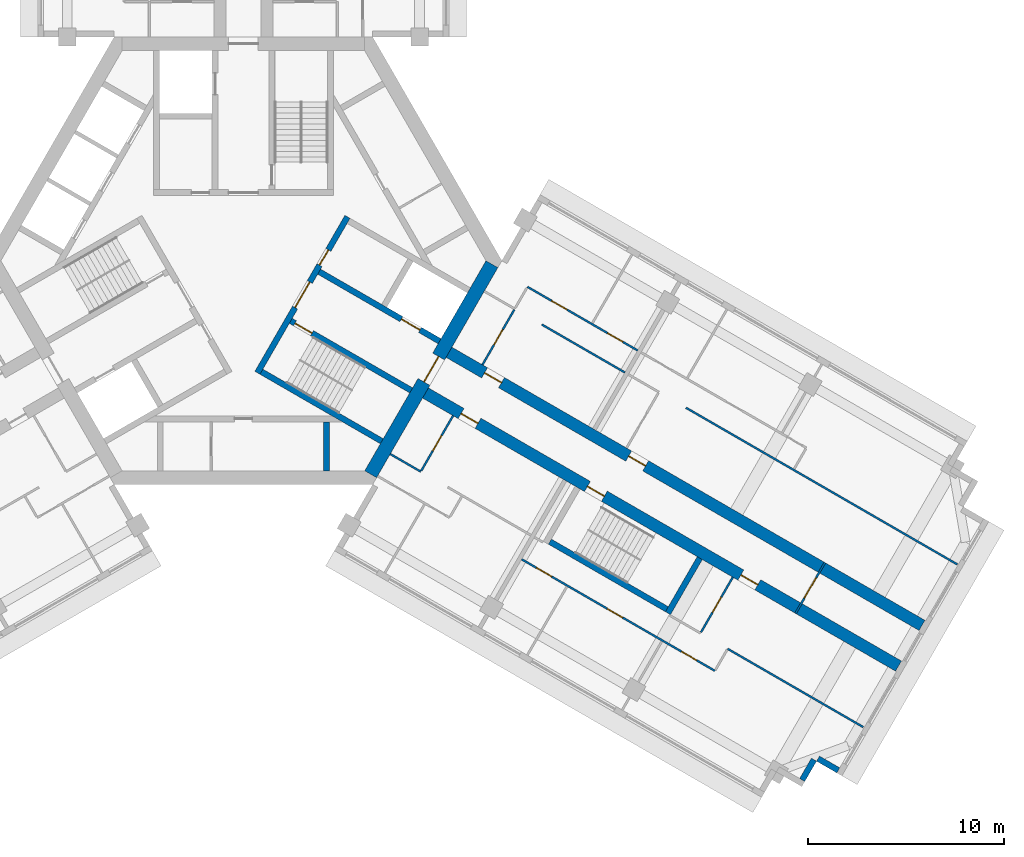
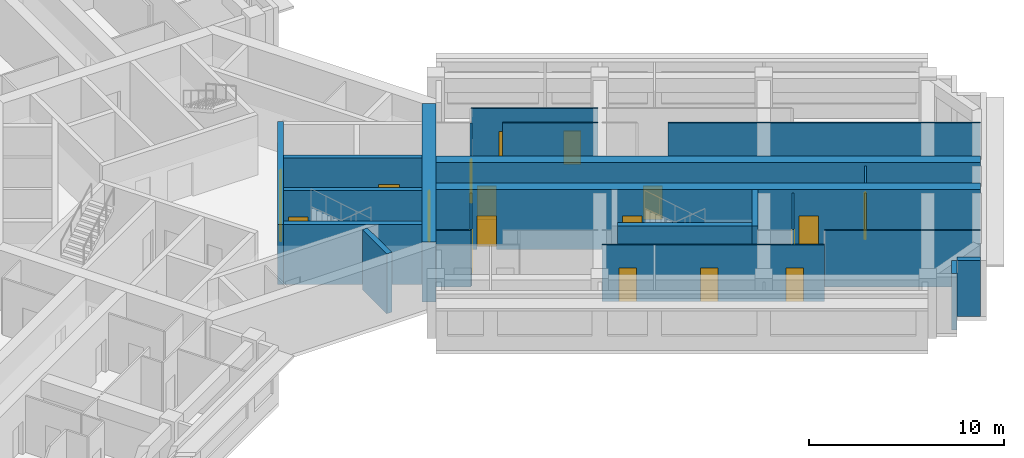
# One storey, part 5 of 10: 22 walls, 19 doors, 19 openings.
"""IFC4 building model written with IfcOpenShell, lengths in metres."""

from ifc_helpers import new_model, si_unit, direction, frame, frame_2d, origin, place, context, subcontext, project, spatial, rectangle, extrude, material, layer, layer_set, type_object, element, fill, save


model = new_model("IFC4")

# Units and contexts
model_context = context("Model", 3, precision=1e-05, world=origin(), true_north=direction((0.0, 1.0)))
body_context = subcontext(model_context, "Body", "Model", "MODEL_VIEW")
ifc_project = project(units=[si_unit("LENGTHUNIT", "METRE"), si_unit("AREAUNIT", "SQUARE_METRE"), si_unit("VOLUMEUNIT", "CUBIC_METRE"), si_unit("PLANEANGLEUNIT", "RADIAN"), si_unit("MASSUNIT", "GRAM", prefix="KILO")], contexts=[model_context])

# Site, building, storey
site_placement = place(None, origin())
site = spatial("IfcSite", under=ifc_project, at=site_placement, CompositionType="ELEMENT")
building_placement = place(site_placement, origin())
building = spatial("IfcBuilding", under=site, at=building_placement, Name="Impinga Residences", CompositionType="ELEMENT")
storey_placement = place(building_placement, frame((0.0, 0.0, 226.0)))
storey = spatial("IfcBuildingStorey", under=building, at=storey_placement, Name="L56", CompositionType="ELEMENT", Elevation=226.0)

# Wall, openings, doors
ifc_material_1 = material(Name="Concrete C60/75", Category="concrete")
ifc_layer_1 = layer(ifc_material_1, 0.60009765625)
ifc_layer_set_1 = layer_set([ifc_layer_1], Name="Concrete C60/75")
wall_type_1 = type_object("IfcWallType", Name="BW3 corridor buttress wall, L46 to L73 600", PredefinedType="SHEAR", material=ifc_layer_set_1)
wall_1_placement = place(storey_placement, frame((10.19677734375, -4.50146484375, 0.0), z_axis=(0.0, 0.0, 1.0), x_axis=(0.866026415941, -0.499998246889, 0.0)))
wall_1 = element("IfcWall", 1, at=wall_1_placement, inside=storey, type_object=wall_type_1, Name="Corridor wall BW3 EC L56", PredefinedType="SHEAR", context=body_context, shape_type="SweptSolid", body=[
    extrude(rectangle(XDim=28.25, YDim=0.60009765625, at=frame_2d((14.125, 0.0))), origin(), (0.0, 0.0, 1.0), 3.75),
])
opening_1_placement = place(wall_1_placement, frame((2.449951171875, 0.0, 0.0)))
opening_1 = element("IfcOpeningElement", 2, at=opening_1_placement, cuts=wall_1, Name="Opening D1", PredefinedType="OPENING", context=body_context, shape_type="SweptSolid", body=[
    extrude(rectangle(XDim=1.0, YDim=2.10009765625, at=frame_2d((0.5, 1.050048828125))), frame((0.0, 0.31005859375, 0.0), z_axis=(0.0, -1.0, 0.0), x_axis=(1.0, 0.0, 0.0)), (0.0, 0.0, 1.0), 0.6201171875),
])
opening_2_placement = place(wall_1_placement, frame((10.949951171875, 0.0, 0.0)))
opening_2 = element("IfcOpeningElement", 3, at=opening_2_placement, cuts=wall_1, Name="Opening D1", PredefinedType="OPENING", context=body_context, shape_type="SweptSolid", body=[
    extrude(rectangle(XDim=1.0, YDim=2.10009765625, at=frame_2d((0.5, 1.050048828125))), frame((0.0, 0.31005859375, 0.0), z_axis=(0.0, -1.0, 0.0), x_axis=(1.0, 0.0, 0.0)), (0.0, 0.0, 1.0), 0.6201171875),
])
ifc_material_2 = material(Name="Timber door set", Category="wood")
door_type_1 = type_object("IfcDoorType", Name="D1 apartment entrance door 1000x2100", OperationType="SINGLE_SWING_LEFT", PredefinedType="DOOR", material=ifc_material_2)
door_1_placement = place(opening_1_placement, origin())
door_1 = element("IfcDoor", 4, at=door_1_placement, inside=storey, type_object=door_type_1, Name="Apartment L56-EA1 entrance", OperationType="SINGLE_SWING_LEFT", OverallHeight=2.10009765625, OverallWidth=1.0, PredefinedType="DOOR", context=body_context, shape_type="SweptSolid", body=[
    extrude(rectangle(XDim=1.0, YDim=2.10009765625, at=frame_2d((0.5, 1.050048828125))), frame((0.0, 0.02490234375, 0.0), z_axis=(0.0, -1.0, 0.0), x_axis=(1.0, 0.0, 0.0)), (0.0, 0.0, 1.0), 0.050048828125),
])
fill(opening_1, door_1)
door_2_placement = place(opening_2_placement, origin())
door_2 = element("IfcDoor", 5, at=door_2_placement, inside=storey, type_object=door_type_1, Name="Apartment L56-EA2 entrance", OperationType="SINGLE_SWING_LEFT", OverallHeight=2.10009765625, OverallWidth=1.0, PredefinedType="DOOR", context=body_context, shape_type="SweptSolid", body=[
    extrude(rectangle(XDim=1.0, YDim=2.10009765625, at=frame_2d((0.5, 1.050048828125))), frame((0.0, 0.02490234375, 0.0), z_axis=(0.0, -1.0, 0.0), x_axis=(1.0, 0.0, 0.0)), (0.0, 0.0, 1.0), 0.050048828125),
])
fill(opening_2, door_2)

wall_2_placement = place(storey_placement, frame((8.996826171875, -6.580078125, 0.0), z_axis=(0.0, 0.0, 1.0), x_axis=(0.866026415941, -0.499998246889, 0.0)))
wall_2 = element("IfcWall", 6, at=wall_2_placement, inside=storey, type_object=wall_type_1, Name="Corridor wall BW3 ED L56", PredefinedType="SHEAR", context=body_context, shape_type="SweptSolid", body=[
    extrude(rectangle(XDim=28.25, YDim=0.60009765625, at=frame_2d((14.125, 0.0))), origin(), (0.0, 0.0, 1.0), 3.75),
])
opening_3_placement = place(wall_2_placement, frame((9.89990234375, 0.0, 0.0)))
opening_3 = element("IfcOpeningElement", 7, at=opening_3_placement, cuts=wall_2, Name="Opening D5", PredefinedType="OPENING", context=body_context, shape_type="SweptSolid", body=[
    extrude(rectangle(XDim=1.0, YDim=2.10009765625, at=frame_2d((0.5, 1.050048828125))), frame((0.0, 0.31005859375, 0.0), z_axis=(0.0, -1.0, 0.0), x_axis=(1.0, 0.0, 0.0)), (0.0, 0.0, 1.0), 0.6201171875),
])
opening_4_placement = place(wall_2_placement, frame((2.449951171875, 0.0, 0.0)))
opening_4 = element("IfcOpeningElement", 8, at=opening_4_placement, cuts=wall_2, Name="Opening D1", PredefinedType="OPENING", context=body_context, shape_type="SweptSolid", body=[
    extrude(rectangle(XDim=1.0, YDim=2.10009765625, at=frame_2d((0.5, 1.050048828125))), frame((0.0, 0.31005859375, 0.0), z_axis=(0.0, -1.0, 0.0), x_axis=(1.0, 0.0, 0.0)), (0.0, 0.0, 1.0), 0.6201171875),
])
opening_5_placement = place(wall_2_placement, frame((18.949951171875, 0.0, 0.0)))
opening_5 = element("IfcOpeningElement", 9, at=opening_5_placement, cuts=wall_2, Name="Opening D1", PredefinedType="OPENING", context=body_context, shape_type="SweptSolid", body=[
    extrude(rectangle(XDim=1.0, YDim=2.10009765625, at=frame_2d((0.5, 1.050048828125))), frame((0.0, 0.31005859375, 0.0), z_axis=(0.0, -1.0, 0.0), x_axis=(1.0, 0.0, 0.0)), (0.0, 0.0, 1.0), 0.6201171875),
])
door_3_placement = place(opening_4_placement, origin())
door_3 = element("IfcDoor", 10, at=door_3_placement, inside=storey, type_object=door_type_1, Name="Apartment L56-EF1 entrance", OperationType="SINGLE_SWING_LEFT", OverallHeight=2.10009765625, OverallWidth=1.0, PredefinedType="DOOR", context=body_context, shape_type="SweptSolid", body=[
    extrude(rectangle(XDim=1.0, YDim=2.10009765625, at=frame_2d((0.5, 1.050048828125))), frame((0.0, 0.02490234375, 0.0), z_axis=(0.0, -1.0, 0.0), x_axis=(1.0, 0.0, 0.0)), (0.0, 0.0, 1.0), 0.050048828125),
])
fill(opening_4, door_3)
door_4_placement = place(opening_5_placement, origin())
door_4 = element("IfcDoor", 11, at=door_4_placement, inside=storey, type_object=door_type_1, Name="Apartment L56-EF2 entrance", OperationType="SINGLE_SWING_RIGHT", OverallHeight=2.10009765625, OverallWidth=1.0, PredefinedType="DOOR", context=body_context, shape_type="SweptSolid", body=[
    extrude(rectangle(XDim=1.0, YDim=2.10009765625, at=frame_2d((0.5, 1.050048828125))), frame((0.0, 0.02490234375, 0.0), z_axis=(0.0, -1.0, 0.0), x_axis=(1.0, 0.0, 0.0)), (0.0, 0.0, 1.0), 0.050048828125),
])
fill(opening_5, door_4)
door_type_2 = type_object("IfcDoorType", Name="D5 stair door 1000x2100", OperationType="SINGLE_SWING_LEFT", PredefinedType="DOOR", material=ifc_material_2)
door_5_placement = place(opening_3_placement, origin())
door_5 = element("IfcDoor", 12, at=door_5_placement, inside=storey, type_object=door_type_2, Name="Wing stair door E", OperationType="SINGLE_SWING_LEFT", OverallHeight=2.10009765625, OverallWidth=1.0, PredefinedType="DOOR", context=body_context, shape_type="SweptSolid", body=[
    extrude(rectangle(XDim=1.0, YDim=2.10009765625, at=frame_2d((0.5, 1.050048828125))), frame((0.0, 0.02490234375, 0.0), z_axis=(0.0, -1.0, 0.0), x_axis=(1.0, 0.0, 0.0)), (0.0, 0.0, 1.0), 0.050048828125),
])
fill(opening_3, door_5)

# Wall, opening, door
ifc_material_3 = material(Name="Concrete blockwork", Category="masonry")
ifc_layer_2 = layer(ifc_material_3, 0.10009765625)
ifc_layer_set_2 = layer_set([ifc_layer_2], Name="CP1 core room partition, blockwork 100")
wall_type_2 = type_object("IfcWallType", Name="CP1 core room partition, blockwork 100", PredefinedType="PARTITIONING", material=ifc_layer_set_2)
wall_3_placement = place(storey_placement, frame((29.70263671875, -15.416748046875, 0.0), z_axis=(0.0, 0.0, 1.0), x_axis=(-0.499990139034, -0.866031096941, 0.0)))
wall_3 = element("IfcWall", 13, at=wall_3_placement, inside=storey, type_object=wall_type_2, Name="Core room partition, blockwork L56:E:LNG", PredefinedType="PARTITIONING", context=body_context, shape_type="SweptSolid", body=[
    extrude(rectangle(XDim=3.0, YDim=0.10009765625, at=frame_2d((1.5, 0.0))), origin(), (0.0, 0.0, 1.0), 3.530029296875),
])
opening_6_placement = place(wall_3_placement, frame((0.89990234375, 0.0, 0.0)))
opening_6 = element("IfcOpeningElement", 14, at=opening_6_placement, cuts=wall_3, Name="Opening D3", PredefinedType="OPENING", context=body_context, shape_type="SweptSolid", body=[
    extrude(rectangle(XDim=1.199951171875, YDim=2.10009765625, at=frame_2d((0.60009765625, 1.050048828125))), frame((0.0, 0.06005859375, 0.0), z_axis=(0.0, -1.0, 0.0), x_axis=(1.0, 0.0, 0.0)), (0.0, 0.0, 1.0), 0.1201171875),
])
door_type_3 = type_object("IfcDoorType", Name="D3 room door, leaf and a half 1200x2100", OperationType="DOUBLE_SWING_LEFT", PredefinedType="DOOR", material=ifc_material_2)
door_6_placement = place(opening_6_placement, origin())
door_6 = element("IfcDoor", 15, at=door_6_placement, inside=storey, type_object=door_type_3, Name="Residents' lounge door E", OperationType="DOUBLE_SWING_LEFT", OverallHeight=2.10009765625, OverallWidth=1.199951171875, PredefinedType="DOOR", context=body_context, shape_type="SweptSolid", body=[
    extrude(rectangle(XDim=1.199951171875, YDim=2.10009765625, at=frame_2d((0.60009765625, 1.050048828125))), frame((0.0, 0.02490234375, 0.0), z_axis=(0.0, -1.0, 0.0), x_axis=(1.0, 0.0, 0.0)), (0.0, 0.0, 1.0), 0.050048828125),
])
fill(opening_6, door_6)

# Walls
ifc_material_4 = material(Name="Terracotta rainscreen on blockwork", Category="masonry")
ifc_layer_3 = layer(ifc_material_4, 0.300048828125)
ifc_layer_set_3 = layer_set([ifc_layer_3], Name="EW1 external wall, terracotta rainscreen on blockwork 300")
wall_type_3 = type_object("IfcWallType", Name="EW1 external wall, terracotta rainscreen on blockwork 300", PredefinedType="SOLIDWALL", material=ifc_layer_set_3)
wall_4_placement = place(storey_placement, frame((30.38720703125, -26.031005859375, 0.0), z_axis=(0.0, 0.0, 1.0), x_axis=(-0.866059708757, 0.499940577336, 0.0)))
element("IfcWall", 16, at=wall_4_placement, inside=storey, type_object=wall_type_3, Name="External wall EW1 L56", PredefinedType="SOLIDWALL", context=body_context, shape_type="SweptSolid", body=[
    extrude(rectangle(XDim=1.195068359375, YDim=0.300048828125, at=frame_2d((0.59765625, 0.0))), origin(), (0.0, 0.0, 1.0), 3.530029296875),
])
wall_5_placement = place(storey_placement, frame((29.14306640625, -25.48583984375, 0.0), z_axis=(0.0, 0.0, 1.0), x_axis=(-0.500033551112, -0.866006032174, 0.0)))
element("IfcWall", 17, at=wall_5_placement, inside=storey, type_object=wall_type_3, Name="External wall EW1 L56", PredefinedType="SOLIDWALL", context=body_context, shape_type="SweptSolid", body=[
    extrude(rectangle(XDim=1.2001953125, YDim=0.300048828125, at=frame_2d((0.60009765625, 0.0))), origin(), (0.0, 0.0, 1.0), 3.530029296875),
])
ifc_material_5 = material(Name="Gypsum board on steel studs", Category="steel")
ifc_layer_4 = layer(ifc_material_5, 0.10009765625)
ifc_layer_set_4 = layer_set([ifc_layer_4], Name="Gypsum board on steel studs")
wall_type_4 = type_object("IfcWallType", Name="IP1 partition 100", PredefinedType="PARTITIONING", material=ifc_layer_set_4)
wall_6_placement = place(storey_placement, frame((15.244384765625, -3.2587890625, 0.0), z_axis=(0.0, 0.0, 1.0), x_axis=(0.866036242063, -0.49998122708, 0.0)))
element("IfcWall", 18, at=wall_6_placement, inside=storey, type_object=wall_type_4, Name="Partition L56-EA1:DIV1", PredefinedType="PARTITIONING", context=body_context, shape_type="SweptSolid", body=[
    extrude(rectangle(XDim=4.900146484375, YDim=0.10009765625, at=frame_2d((2.4501953125, 0.0))), origin(), (0.0, 0.0, 1.0), 3.530029296875),
])

# Wall, openings, doors
wall_7_placement = place(storey_placement, frame((14.5087890625, -1.3330078125, 0.0), z_axis=(0.0, 0.0, 1.0), x_axis=(0.866024837091, -0.50000098154, 0.0)))
wall_7 = element("IfcWall", 19, at=wall_7_placement, inside=storey, type_object=wall_type_4, Name="Partition L56-EA1:STRIP", PredefinedType="PARTITIONING", context=body_context, shape_type="SweptSolid", body=[
    extrude(rectangle(XDim=6.5, YDim=0.10009765625, at=frame_2d((3.25, 0.0))), origin(), (0.0, 0.0, 1.0), 3.530029296875),
])
opening_7_placement = place(wall_7_placement, frame((1.425048828125, 0.0, 0.0)))
opening_7 = element("IfcOpeningElement", 20, at=opening_7_placement, cuts=wall_7, Name="Opening D2", PredefinedType="OPENING", context=body_context, shape_type="SweptSolid", body=[
    extrude(rectangle(XDim=0.89990234375, YDim=2.10009765625, at=frame_2d((0.449951171875, 1.050048828125))), frame((0.0, 0.06005859375, 0.0), z_axis=(0.0, -1.0, 0.0), x_axis=(1.0, 0.0, 0.0)), (0.0, 0.0, 1.0), 0.1201171875),
])
opening_8_placement = place(wall_7_placement, frame((4.72509765625, 0.0, 0.0)))
opening_8 = element("IfcOpeningElement", 21, at=opening_8_placement, cuts=wall_7, Name="Opening D2", PredefinedType="OPENING", context=body_context, shape_type="SweptSolid", body=[
    extrude(rectangle(XDim=0.89990234375, YDim=2.10009765625, at=frame_2d((0.449951171875, 1.050048828125))), frame((0.0, 0.06005859375, 0.0), z_axis=(0.0, -1.0, 0.0), x_axis=(1.0, 0.0, 0.0)), (0.0, 0.0, 1.0), 0.1201171875),
])
door_type_4 = type_object("IfcDoorType", Name="D2 internal door 900x2100", OperationType="SINGLE_SWING_LEFT", PredefinedType="DOOR", material=ifc_material_2)
door_7_placement = place(opening_7_placement, origin())
door_7 = element("IfcDoor", 22, at=door_7_placement, inside=storey, type_object=door_type_4, Name="Apartment L56-EA1 room door", OperationType="SINGLE_SWING_LEFT", OverallHeight=2.10009765625, OverallWidth=0.89990234375, PredefinedType="DOOR", context=body_context, shape_type="SweptSolid", body=[
    extrude(rectangle(XDim=0.89990234375, YDim=2.10009765625, at=frame_2d((0.449951171875, 1.050048828125))), frame((0.0, 0.02490234375, 0.0), z_axis=(0.0, -1.0, 0.0), x_axis=(1.0, 0.0, 0.0)), (0.0, 0.0, 1.0), 0.050048828125),
])
fill(opening_7, door_7)
door_8_placement = place(opening_8_placement, origin())
door_8 = element("IfcDoor", 23, at=door_8_placement, inside=storey, type_object=door_type_4, Name="Apartment L56-EA1 room door", OperationType="SINGLE_SWING_RIGHT", OverallHeight=2.10009765625, OverallWidth=0.89990234375, PredefinedType="DOOR", context=body_context, shape_type="SweptSolid", body=[
    extrude(rectangle(XDim=0.89990234375, YDim=2.10009765625, at=frame_2d((0.449951171875, 1.050048828125))), frame((0.0, 0.02490234375, 0.0), z_axis=(0.0, -1.0, 0.0), x_axis=(1.0, 0.0, 0.0)), (0.0, 0.0, 1.0), 0.050048828125),
])
fill(opening_8, door_8)

# Wall, opening, door
wall_8_placement = place(storey_placement, frame((12.208740234375, -5.316650390625, 0.0), z_axis=(0.0, 0.0, 1.0), x_axis=(0.500017246033, 0.866015446554, 0.0)))
wall_8 = element("IfcWall", 24, at=wall_8_placement, inside=storey, type_object=wall_type_4, Name="Partition L56-EA1:IB1", PredefinedType="PARTITIONING", context=body_context, shape_type="SweptSolid", body=[
    extrude(rectangle(XDim=3.25, YDim=0.10009765625, at=frame_2d((1.625, 0.0))), origin(), (0.0, 0.0, 1.0), 3.530029296875),
])
opening_9_placement = place(wall_8_placement, frame((1.175048828125, 0.0, 0.0)))
opening_9 = element("IfcOpeningElement", 25, at=opening_9_placement, cuts=wall_8, Name="Opening D2", PredefinedType="OPENING", context=body_context, shape_type="SweptSolid", body=[
    extrude(rectangle(XDim=0.89990234375, YDim=2.10009765625, at=frame_2d((0.449951171875, 1.050048828125))), frame((0.0, 0.06005859375, 0.0), z_axis=(0.0, -1.0, 0.0), x_axis=(1.0, 0.0, 0.0)), (0.0, 0.0, 1.0), 0.1201171875),
])
door_9_placement = place(opening_9_placement, origin())
door_9 = element("IfcDoor", 26, at=door_9_placement, inside=storey, type_object=door_type_4, Name="Apartment L56-EA1 bathroom door", OperationType="SINGLE_SWING_LEFT", OverallHeight=2.10009765625, OverallWidth=0.89990234375, PredefinedType="DOOR", context=body_context, shape_type="SweptSolid", body=[
    extrude(rectangle(XDim=0.89990234375, YDim=2.10009765625, at=frame_2d((0.449951171875, 1.050048828125))), frame((0.0, 0.02490234375, 0.0), z_axis=(0.0, -1.0, 0.0), x_axis=(1.0, 0.0, 0.0)), (0.0, 0.0, 1.0), 0.050048828125),
])
fill(opening_9, door_9)

# Walls
wall_9_placement = place(storey_placement, frame((22.605712890625, -7.5087890625, 0.0), z_axis=(0.0, 0.0, 1.0), x_axis=(0.866026010844, -0.49999894854, 0.0)))
element("IfcWall", 27, at=wall_9_placement, inside=storey, type_object=wall_type_4, Name="Partition L56-EA2:DIV1", PredefinedType="PARTITIONING", context=body_context, shape_type="SweptSolid", body=[
    extrude(rectangle(XDim=16.0, YDim=0.10009765625, at=frame_2d((8.0, 0.0))), origin(), (0.0, 0.0, 1.0), 3.530029296875),
])
wall_10_placement = place(storey_placement, frame((7.5, -9.872802734375, 0.0), z_axis=(0.0, 0.0, 1.0), x_axis=(0.866047807691, -0.499961193289, 0.0)))
element("IfcWall", 28, at=wall_10_placement, inside=storey, type_object=wall_type_4, Name="Partition L56-EF1:DIV0", PredefinedType="PARTITIONING", context=body_context, shape_type="SweptSolid", body=[
    extrude(rectangle(XDim=1.800048828125, YDim=0.10009765625, at=frame_2d((0.89990234375, 0.0))), origin(), (0.0, 0.0, 1.0), 3.530029296875),
])

# Wall, opening, door
wall_11_placement = place(storey_placement, frame((10.708740234375, -7.914794921875, 0.0), z_axis=(0.0, 0.0, 1.0), x_axis=(-0.499984717929, -0.866034226713, 0.0)))
wall_11 = element("IfcWall", 29, at=wall_11_placement, inside=storey, type_object=wall_type_4, Name="Partition L56-EF1:IB1", PredefinedType="PARTITIONING", context=body_context, shape_type="SweptSolid", body=[
    extrude(rectangle(XDim=3.25, YDim=0.10009765625, at=frame_2d((1.625, 0.0))), origin(), (0.0, 0.0, 1.0), 3.530029296875),
])
opening_10_placement = place(wall_11_placement, frame((1.175048828125, 0.0, 0.0)))
opening_10 = element("IfcOpeningElement", 30, at=opening_10_placement, cuts=wall_11, Name="Opening D2", PredefinedType="OPENING", context=body_context, shape_type="SweptSolid", body=[
    extrude(rectangle(XDim=0.89990234375, YDim=2.10009765625, at=frame_2d((0.449951171875, 1.050048828125))), frame((0.0, 0.06005859375, 0.0), z_axis=(0.0, -1.0, 0.0), x_axis=(1.0, 0.0, 0.0)), (0.0, 0.0, 1.0), 0.1201171875),
])
door_10_placement = place(opening_10_placement, origin())
door_10 = element("IfcDoor", 31, at=door_10_placement, inside=storey, type_object=door_type_4, Name="Apartment L56-EF1 bathroom door", OperationType="SINGLE_SWING_LEFT", OverallHeight=2.10009765625, OverallWidth=0.89990234375, PredefinedType="DOOR", context=body_context, shape_type="SweptSolid", body=[
    extrude(rectangle(XDim=0.89990234375, YDim=2.10009765625, at=frame_2d((0.449951171875, 1.050048828125))), frame((0.0, 0.02490234375, 0.0), z_axis=(0.0, -1.0, 0.0), x_axis=(1.0, 0.0, 0.0)), (0.0, 0.0, 1.0), 0.050048828125),
])
fill(opening_10, door_10)

# Wall
wall_12_placement = place(storey_placement, frame((24.73388671875, -19.82275390625, 0.0), z_axis=(0.0, 0.0, 1.0), x_axis=(0.866026010844, -0.49999894854, 0.0)))
element("IfcWall", 32, at=wall_12_placement, inside=storey, type_object=wall_type_4, Name="Partition L56-EF2:DIV2", PredefinedType="PARTITIONING", context=body_context, shape_type="SweptSolid", body=[
    extrude(rectangle(XDim=8.0, YDim=0.10009765625, at=frame_2d((4.0, 0.0))), origin(), (0.0, 0.0, 1.0), 3.530029296875),
])

# Wall, openings, doors
wall_13_placement = place(storey_placement, frame((14.211181640625, -15.24853515625, 0.0), z_axis=(0.0, 0.0, 1.0), x_axis=(0.866029739339, -0.499992490525, 0.0)))
wall_13 = element("IfcWall", 33, at=wall_13_placement, inside=storey, type_object=wall_type_4, Name="Partition L56-EF2:STRIP", PredefinedType="PARTITIONING", context=body_context, shape_type="SweptSolid", body=[
    extrude(rectangle(XDim=11.400146484375, YDim=0.10009765625, at=frame_2d((5.7001953125, 0.0))), origin(), (0.0, 0.0, 1.0), 3.530029296875),
])
opening_11_placement = place(wall_13_placement, frame((0.875, 0.0, 0.0)))
opening_11 = element("IfcOpeningElement", 34, at=opening_11_placement, cuts=wall_13, Name="Opening D2", PredefinedType="OPENING", context=body_context, shape_type="SweptSolid", body=[
    extrude(rectangle(XDim=0.89990234375, YDim=2.10009765625, at=frame_2d((0.449951171875, 1.050048828125))), frame((0.0, 0.06005859375, 0.0), z_axis=(0.0, -1.0, 0.0), x_axis=(1.0, 0.0, 0.0)), (0.0, 0.0, 1.0), 0.1201171875),
])
opening_12_placement = place(wall_13_placement, frame((5.050048828125, 0.0, 0.0)))
opening_12 = element("IfcOpeningElement", 35, at=opening_12_placement, cuts=wall_13, Name="Opening D2", PredefinedType="OPENING", context=body_context, shape_type="SweptSolid", body=[
    extrude(rectangle(XDim=0.89990234375, YDim=2.10009765625, at=frame_2d((0.449951171875, 1.050048828125))), frame((0.0, 0.06005859375, 0.0), z_axis=(0.0, -1.0, 0.0), x_axis=(1.0, 0.0, 0.0)), (0.0, 0.0, 1.0), 0.1201171875),
])
opening_13_placement = place(wall_13_placement, frame((9.425048828125, 0.0, 0.0)))
opening_13 = element("IfcOpeningElement", 36, at=opening_13_placement, cuts=wall_13, Name="Opening D2", PredefinedType="OPENING", context=body_context, shape_type="SweptSolid", body=[
    extrude(rectangle(XDim=0.89990234375, YDim=2.10009765625, at=frame_2d((0.449951171875, 1.050048828125))), frame((0.0, 0.06005859375, 0.0), z_axis=(0.0, -1.0, 0.0), x_axis=(1.0, 0.0, 0.0)), (0.0, 0.0, 1.0), 0.1201171875),
])
door_11_placement = place(opening_11_placement, origin())
door_11 = element("IfcDoor", 37, at=door_11_placement, inside=storey, type_object=door_type_4, Name="Apartment L56-EF2 room door", OperationType="SINGLE_SWING_LEFT", OverallHeight=2.10009765625, OverallWidth=0.89990234375, PredefinedType="DOOR", context=body_context, shape_type="SweptSolid", body=[
    extrude(rectangle(XDim=0.89990234375, YDim=2.10009765625, at=frame_2d((0.449951171875, 1.050048828125))), frame((0.0, 0.02490234375, 0.0), z_axis=(0.0, -1.0, 0.0), x_axis=(1.0, 0.0, 0.0)), (0.0, 0.0, 1.0), 0.050048828125),
])
fill(opening_11, door_11)
door_12_placement = place(opening_12_placement, origin())
door_12 = element("IfcDoor", 38, at=door_12_placement, inside=storey, type_object=door_type_4, Name="Apartment L56-EF2 room door", OperationType="SINGLE_SWING_LEFT", OverallHeight=2.10009765625, OverallWidth=0.89990234375, PredefinedType="DOOR", context=body_context, shape_type="SweptSolid", body=[
    extrude(rectangle(XDim=0.89990234375, YDim=2.10009765625, at=frame_2d((0.449951171875, 1.050048828125))), frame((0.0, 0.02490234375, 0.0), z_axis=(0.0, -1.0, 0.0), x_axis=(1.0, 0.0, 0.0)), (0.0, 0.0, 1.0), 0.050048828125),
])
fill(opening_12, door_12)
door_13_placement = place(opening_13_placement, origin())
door_13 = element("IfcDoor", 39, at=door_13_placement, inside=storey, type_object=door_type_4, Name="Apartment L56-EF2 room door", OperationType="SINGLE_SWING_RIGHT", OverallHeight=2.10009765625, OverallWidth=0.89990234375, PredefinedType="DOOR", context=body_context, shape_type="SweptSolid", body=[
    extrude(rectangle(XDim=0.89990234375, YDim=2.10009765625, at=frame_2d((0.449951171875, 1.050048828125))), frame((0.0, 0.02490234375, 0.0), z_axis=(0.0, -1.0, 0.0), x_axis=(1.0, 0.0, 0.0)), (0.0, 0.0, 1.0), 0.050048828125),
])
fill(opening_13, door_13)

# Wall, opening, door
wall_14_placement = place(storey_placement, frame((24.998291015625, -16.164794921875, 0.0), z_axis=(0.0, 0.0, 1.0), x_axis=(-0.499984717929, -0.866034226713, 0.0)))
wall_14 = element("IfcWall", 40, at=wall_14_placement, inside=storey, type_object=wall_type_4, Name="Partition L56-EF2:IB1", PredefinedType="PARTITIONING", context=body_context, shape_type="SweptSolid", body=[
    extrude(rectangle(XDim=3.25, YDim=0.10009765625, at=frame_2d((1.625, 0.0))), origin(), (0.0, 0.0, 1.0), 3.530029296875),
])
opening_14_placement = place(wall_14_placement, frame((1.175048828125, 0.0, 0.0)))
opening_14 = element("IfcOpeningElement", 41, at=opening_14_placement, cuts=wall_14, Name="Opening D2", PredefinedType="OPENING", context=body_context, shape_type="SweptSolid", body=[
    extrude(rectangle(XDim=0.89990234375, YDim=2.10009765625, at=frame_2d((0.449951171875, 1.050048828125))), frame((0.0, 0.06005859375, 0.0), z_axis=(0.0, -1.0, 0.0), x_axis=(1.0, 0.0, 0.0)), (0.0, 0.0, 1.0), 0.1201171875),
])
door_14_placement = place(opening_14_placement, origin())
door_14 = element("IfcDoor", 42, at=door_14_placement, inside=storey, type_object=door_type_4, Name="Apartment L56-EF2 bathroom door", OperationType="SINGLE_SWING_LEFT", OverallHeight=2.10009765625, OverallWidth=0.89990234375, PredefinedType="DOOR", context=body_context, shape_type="SweptSolid", body=[
    extrude(rectangle(XDim=0.89990234375, YDim=2.10009765625, at=frame_2d((0.449951171875, 1.050048828125))), frame((0.0, 0.02490234375, 0.0), z_axis=(0.0, -1.0, 0.0), x_axis=(1.0, 0.0, 0.0)), (0.0, 0.0, 1.0), 0.050048828125),
])
fill(opening_14, door_14)

# Walls
ifc_layer_5 = layer(ifc_material_1, 0.300048828125)
ifc_layer_set_5 = layer_set([ifc_layer_5], Name="Concrete C60/75")
wall_type_5 = type_object("IfcWallType", Name="SE1 wing stair enclosure wall 300", PredefinedType="SOLIDWALL", material=ifc_layer_set_5)
wall_15_placement = place(storey_placement, frame((23.3095703125, -15.189697265625, 0.0), z_axis=(0.0, 0.0, 1.0), x_axis=(-0.499984717929, -0.866034226713, 0.0)))
element("IfcWall", 43, at=wall_15_placement, inside=storey, type_object=wall_type_5, Name="Stair enclosure wall SE1 E END1 L56", PredefinedType="SOLIDWALL", context=body_context, shape_type="SweptSolid", body=[
    extrude(rectangle(XDim=3.25, YDim=0.300048828125, at=frame_2d((1.625, 0.0))), origin(), (0.0, 0.0, 1.0), 3.75),
])
wall_16_placement = place(storey_placement, frame((15.654052734375, -14.349365234375, 0.0), z_axis=(0.0, 0.0, 1.0), x_axis=(0.866013532718, -0.500020560727, 0.0)))
element("IfcWall", 44, at=wall_16_placement, inside=storey, type_object=wall_type_5, Name="Stair enclosure wall SE1 E OUT L56", PredefinedType="SOLIDWALL", context=body_context, shape_type="SweptSolid", body=[
    extrude(rectangle(XDim=6.900146484375, YDim=0.300048828125, at=frame_2d((3.4501953125, 0.0))), origin(), (0.0, 0.0, 1.0), 3.75),
])

# Wall, opening, door
ifc_layer_6 = layer(ifc_material_1, 0.699951171875)
ifc_layer_set_6 = layer_set([ifc_layer_6], Name="Concrete C60/75")
wall_type_6 = type_object("IfcWallType", Name="SW3 core wall 700", PredefinedType="SHEAR", material=ifc_layer_set_6)
wall_17_placement = place(storey_placement, frame((12.69482421875, -0.175048828125, 0.0), z_axis=(0.0, 0.0, 1.0), x_axis=(-0.499999875397, -0.866025475724, 0.0)))
wall_17 = element("IfcWall", 45, at=wall_17_placement, inside=storey, type_object=wall_type_6, Name="Core wall SW3 E:FACE L56", PredefinedType="SHEAR", context=body_context, shape_type="SweptSolid", body=[
    extrude(rectangle(XDim=12.3916015625, YDim=0.699951171875, at=frame_2d((6.19580078125, 0.0))), origin(), (0.0, 0.0, 1.0), 3.75),
])
opening_15_placement = place(wall_17_placement, frame((5.44580078125, 0.0, 0.0)))
opening_15 = element("IfcOpeningElement", 46, at=opening_15_placement, cuts=wall_17, Name="Opening D4", PredefinedType="OPENING", context=body_context, shape_type="SweptSolid", body=[
    extrude(rectangle(XDim=1.5, YDim=2.10009765625, at=frame_2d((0.75, 1.050048828125))), frame((0.0, 0.35986328125, 0.0), z_axis=(0.0, -1.0, 0.0), x_axis=(1.0, 0.0, 0.0)), (0.0, 0.0, 1.0), 0.719970703125),
])
door_type_5 = type_object("IfcDoorType", Name="D4 lobby door pair 1500x2100", OperationType="DOUBLE_DOOR_DOUBLE_SWING", PredefinedType="DOOR", material=ifc_material_2)
door_15_placement = place(opening_15_placement, origin())
door_15 = element("IfcDoor", 47, at=door_15_placement, inside=storey, type_object=door_type_5, Name="Lobby door E", OperationType="DOUBLE_DOOR_DOUBLE_SWING", OverallHeight=2.10009765625, OverallWidth=1.5, PredefinedType="DOOR", context=body_context, shape_type="SweptSolid", body=[
    extrude(rectangle(XDim=1.5, YDim=2.10009765625, at=frame_2d((0.75, 1.050048828125))), frame((0.0, 0.02490234375, 0.0), z_axis=(0.0, -1.0, 0.0), x_axis=(1.0, 0.0, 0.0)), (0.0, 0.0, 1.0), 0.050048828125),
])
fill(opening_15, door_15)

# Wall, openings, doors
ifc_material_6 = material(Name="Concrete C70/85", Category="concrete")
ifc_layer_7 = layer(ifc_material_6, 0.300048828125)
ifc_layer_set_7 = layer_set([ifc_layer_7], Name="Concrete C70/85")
wall_type_7 = type_object("IfcWallType", Name="SW5 core inner wall, stairs, shafts and lobbies 300", PredefinedType="SHEAR", material=ifc_layer_set_7)
wall_18_placement = place(storey_placement, frame((5.313720703125, 2.24365234375, 0.0), z_axis=(0.0, 0.0, 1.0), x_axis=(-0.499995050369, -0.866028261437, 0.0)))
wall_18 = element("IfcWall", 48, at=wall_18_placement, inside=storey, type_object=wall_type_7, Name="Core wall SW5 E:ZONE L56", PredefinedType="SHEAR", context=body_context, shape_type="SweptSolid", body=[
    extrude(rectangle(XDim=9.19970703125, YDim=0.300048828125, at=frame_2d((4.599853515625, 0.0))), origin(), (0.0, 0.0, 1.0), 3.75),
])
opening_16_placement = place(wall_18_placement, frame((3.85009765625, 0.0, 0.0)))
opening_16 = element("IfcOpeningElement", 49, at=opening_16_placement, cuts=wall_18, Name="Opening D4", PredefinedType="OPENING", context=body_context, shape_type="SweptSolid", body=[
    extrude(rectangle(XDim=1.5, YDim=2.10009765625, at=frame_2d((0.75, 1.050048828125))), frame((0.0, 0.159912109375, 0.0), z_axis=(0.0, -1.0, 0.0), x_axis=(1.0, 0.0, 0.0)), (0.0, 0.0, 1.0), 0.320068359375),
])
opening_17_placement = place(wall_18_placement, frame((1.949951171875, 0.0, 0.0)))
opening_17 = element("IfcOpeningElement", 50, at=opening_17_placement, cuts=wall_18, Name="Opening D6", PredefinedType="OPENING", context=body_context, shape_type="SweptSolid", body=[
    extrude(rectangle(XDim=0.89990234375, YDim=2.10009765625, at=frame_2d((0.449951171875, 1.050048828125))), frame((0.0, 0.159912109375, 0.0), z_axis=(0.0, -1.0, 0.0), x_axis=(1.0, 0.0, 0.0)), (0.0, 0.0, 1.0), 0.320068359375),
])
door_16_placement = place(opening_16_placement, origin())
door_16 = element("IfcDoor", 51, at=door_16_placement, inside=storey, type_object=door_type_5, Name="Firefighting lobby door E", OperationType="DOUBLE_DOOR_DOUBLE_SWING", OverallHeight=2.10009765625, OverallWidth=1.5, PredefinedType="DOOR", context=body_context, shape_type="SweptSolid", body=[
    extrude(rectangle(XDim=1.5, YDim=2.10009765625, at=frame_2d((0.75, 1.050048828125))), frame((0.0, 0.02490234375, 0.0), z_axis=(0.0, -1.0, 0.0), x_axis=(1.0, 0.0, 0.0)), (0.0, 0.0, 1.0), 0.050048828125),
])
fill(opening_16, door_16)
door_type_6 = type_object("IfcDoorType", Name="D6 riser and store door 900x2100", OperationType="SINGLE_SWING_LEFT", PredefinedType="DOOR", material=ifc_material_2)
door_17_placement = place(opening_17_placement, origin())
door_17 = element("IfcDoor", 52, at=door_17_placement, inside=storey, type_object=door_type_6, Name="Riser door E", OperationType="SINGLE_SWING_LEFT", OverallHeight=2.10009765625, OverallWidth=0.89990234375, PredefinedType="DOOR", context=body_context, shape_type="SweptSolid", body=[
    extrude(rectangle(XDim=0.89990234375, YDim=2.10009765625, at=frame_2d((0.449951171875, 1.050048828125))), frame((0.0, 0.02490234375, 0.0), z_axis=(0.0, -1.0, 0.0), x_axis=(1.0, 0.0, 0.0)), (0.0, 0.0, 1.0), 0.050048828125),
])
fill(opening_17, door_17)

# Wall, opening, door
wall_19_placement = place(storey_placement, frame((2.418701171875, -3.07080078125, 0.0), z_axis=(0.0, 0.0, 1.0), x_axis=(0.866025859768, -0.499999210213, 0.0)))
wall_19 = element("IfcWall", 53, at=wall_19_placement, inside=storey, type_object=wall_type_7, Name="Core wall SW5 E:ST-IN L56", PredefinedType="SHEAR", context=body_context, shape_type="SweptSolid", body=[
    extrude(rectangle(XDim=7.1015625, YDim=0.300048828125, at=frame_2d((3.55078125, 0.0))), origin(), (0.0, 0.0, 1.0), 3.75),
])
opening_18_placement = place(wall_19_placement, frame((0.25, 0.0, 0.0)))
opening_18 = element("IfcOpeningElement", 54, at=opening_18_placement, cuts=wall_19, Name="Opening D5", PredefinedType="OPENING", context=body_context, shape_type="SweptSolid", body=[
    extrude(rectangle(XDim=1.0, YDim=2.10009765625, at=frame_2d((0.5, 1.050048828125))), frame((0.0, 0.159912109375, 0.0), z_axis=(0.0, -1.0, 0.0), x_axis=(1.0, 0.0, 0.0)), (0.0, 0.0, 1.0), 0.320068359375),
])
door_18_placement = place(opening_18_placement, origin())
door_18 = element("IfcDoor", 55, at=door_18_placement, inside=storey, type_object=door_type_2, Name="Stair door E", OperationType="SINGLE_SWING_LEFT", OverallHeight=2.10009765625, OverallWidth=1.0, PredefinedType="DOOR", context=body_context, shape_type="SweptSolid", body=[
    extrude(rectangle(XDim=1.0, YDim=2.10009765625, at=frame_2d((0.5, 1.050048828125))), frame((0.0, 0.02490234375, 0.0), z_axis=(0.0, -1.0, 0.0), x_axis=(1.0, 0.0, 0.0)), (0.0, 0.0, 1.0), 0.050048828125),
])
fill(opening_18, door_18)

# Wall
wall_20_placement = place(storey_placement, frame((0.918701171875, -5.668701171875, 0.0), z_axis=(0.0, 0.0, 1.0), x_axis=(0.866025859768, -0.499999210213, 0.0)))
element("IfcWall", 56, at=wall_20_placement, inside=storey, type_object=wall_type_7, Name="Core wall SW5 E:ST-OUT L56", PredefinedType="SHEAR", context=body_context, shape_type="SweptSolid", body=[
    extrude(rectangle(XDim=7.1015625, YDim=0.300048828125, at=frame_2d((3.55078125, 0.0))), origin(), (0.0, 0.0, 1.0), 3.75),
])

# Wall, opening, door
wall_21_placement = place(storey_placement, frame((3.86865234375, -0.559326171875, 0.0), z_axis=(0.0, 0.0, 1.0), x_axis=(0.866025859768, -0.499999210213, 0.0)))
wall_21 = element("IfcWall", 57, at=wall_21_placement, inside=storey, type_object=wall_type_7, Name="Core wall SW5 E:FF-IN L56", PredefinedType="SHEAR", context=body_context, shape_type="SweptSolid", body=[
    extrude(rectangle(XDim=7.1015625, YDim=0.300048828125, at=frame_2d((3.55078125, 0.0))), origin(), (0.0, 0.0, 1.0), 3.75),
])
opening_19_placement = place(wall_21_placement, frame((4.85009765625, 0.0, 0.0)))
opening_19 = element("IfcOpeningElement", 58, at=opening_19_placement, cuts=wall_21, Name="Opening LD2", PredefinedType="OPENING", context=body_context, shape_type="SweptSolid", body=[
    extrude(rectangle(XDim=1.10009765625, YDim=2.10009765625, at=frame_2d((0.550048828125, 1.050048828125))), frame((0.0, 0.159912109375, 0.0), z_axis=(0.0, -1.0, 0.0), x_axis=(1.0, 0.0, 0.0)), (0.0, 0.0, 1.0), 0.320068359375),
])
ifc_material_7 = material(Name="Steel lift landing door", Category="steel")
door_type_7 = type_object("IfcDoorType", Name="LD2 firefighting lift landing door 1100x2100", OperationType="DOUBLE_DOOR_SLIDING", PredefinedType="DOOR", material=ifc_material_7)
door_19_placement = place(opening_19_placement, origin())
door_19 = element("IfcDoor", 59, at=door_19_placement, inside=storey, type_object=door_type_7, Name="Firefighting lift landing door F3", OperationType="DOUBLE_DOOR_SLIDING", OverallHeight=2.10009765625, OverallWidth=1.10009765625, PredefinedType="DOOR", context=body_context, shape_type="SweptSolid", body=[
    extrude(rectangle(XDim=1.10009765625, YDim=2.10009765625, at=frame_2d((0.550048828125, 1.050048828125))), frame((0.0, 0.02490234375, 0.0), z_axis=(0.0, -1.0, 0.0), x_axis=(1.0, 0.0, 0.0)), (0.0, 0.0, 1.0), 0.050048828125),
])
fill(opening_19, door_19)

# Wall
wall_22_placement = place(storey_placement, frame((4.25, -8.2314453125, 0.0), z_axis=(0.0, 0.0, 1.0), x_axis=(0.0, -1.0, 0.0)))
element("IfcWall", 60, at=wall_22_placement, inside=storey, type_object=wall_type_7, Name="Core wall SW5 N:BANK-L L56", PredefinedType="SHEAR", context=body_context, shape_type="SweptSolid", body=[
    extrude(rectangle(XDim=2.5, YDim=0.300048828125, at=frame_2d((1.25, 0.0))), origin(), (0.0, 0.0, 1.0), 3.75),
])

save(model, "model.ifc")
